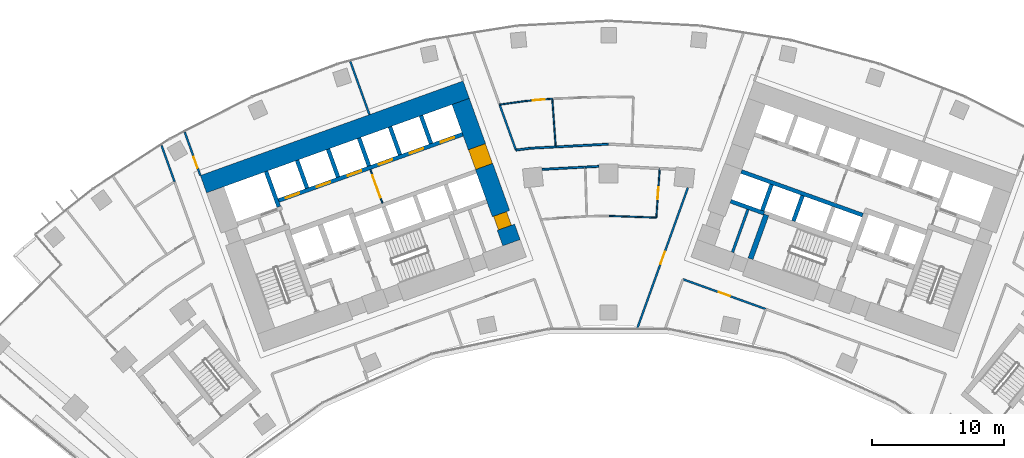
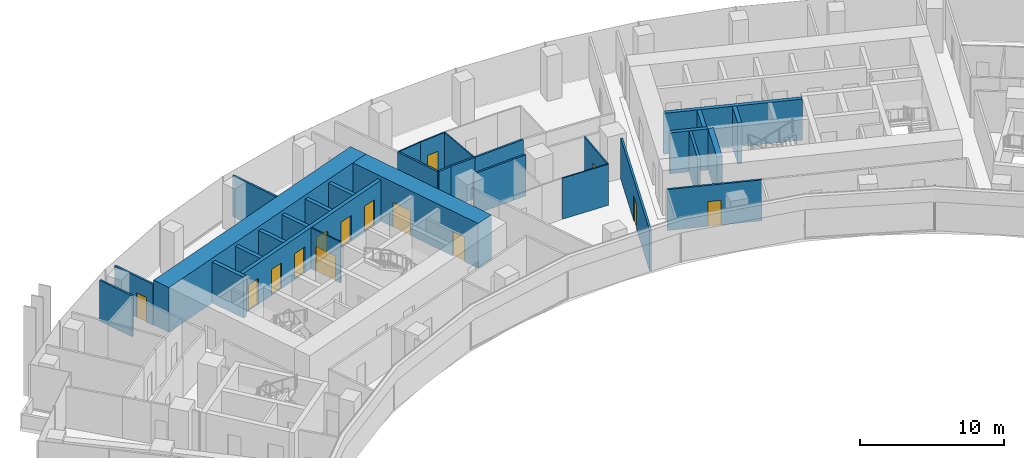
# One storey, part 15 of 21: 32 walls, 14 doors, 14 openings.
"""IFC4 building model written with IfcOpenShell, lengths in metres."""

from ifc_helpers import new_model, si_unit, direction, frame, frame_2d, origin, place, context, subcontext, project, spatial, rectangle, extrude, material, layer, layer_set, type_object, element, fill, save


model = new_model("IFC4")

# Units and contexts
model_context = context("Model", 3, precision=1e-05, world=origin(), true_north=direction((0.0, 1.0)))
body_context = subcontext(model_context, "Body", "Model", "MODEL_VIEW")
ifc_project = project(units=[si_unit("LENGTHUNIT", "METRE"), si_unit("AREAUNIT", "SQUARE_METRE"), si_unit("VOLUMEUNIT", "CUBIC_METRE"), si_unit("PLANEANGLEUNIT", "RADIAN"), si_unit("MASSUNIT", "GRAM", prefix="KILO")], contexts=[model_context])

# Site, building, storey
site_placement = place(None, origin())
site = spatial("IfcSite", under=ifc_project, at=site_placement, CompositionType="ELEMENT")
building_placement = place(site_placement, origin())
building = spatial("IfcBuilding", under=site, at=building_placement, Name="Stone Belt Terrace Tower", CompositionType="ELEMENT")
storey_placement = place(building_placement, frame((0.0, 0.0, 113.60009765625)))
storey = spatial("IfcBuildingStorey", under=building, at=storey_placement, Name="L27", CompositionType="ELEMENT", Elevation=113.60009765625)

# Wall, opening, door
ifc_material_1 = material(Name="Plasterboard partition")
ifc_layer_1 = layer(ifc_material_1, 0.10009765625)
ifc_layer_set_1 = layer_set([ifc_layer_1], Name="Core partition 100")
wall_type_1 = type_object("IfcWallType", Name="Core partition 100", PredefinedType="PARTITIONING", material=ifc_layer_set_1)
wall_1_placement = place(storey_placement, frame((-17.17724609375, 52.749755859375, 0.0), z_axis=(0.0, 0.0, 1.0), x_axis=(-0.338546555931, 0.940949642365, 0.0)))
wall_1 = element("IfcWall", 1, at=wall_1_placement, inside=storey, type_object=wall_type_1, Name="Core A wall", PredefinedType="PARTITIONING", context=body_context, shape_type="SweptSolid", body=[
    extrude(rectangle(XDim=2.699951171875, YDim=0.10009765625, at=frame_2d((1.35009765625, 0.0))), origin(), (0.0, 0.0, 1.0), 3.47998046875),
])
opening_1_placement = place(wall_1_placement, frame((0.449951171875, 0.0, 0.0)))
opening_1 = element("IfcOpeningElement", 2, at=opening_1_placement, cuts=wall_1, Name="Opening L27-C03", PredefinedType="OPENING", context=body_context, shape_type="SweptSolid", body=[
    extrude(rectangle(XDim=1.800048828125, YDim=2.10009765625, at=frame_2d((0.89990234375, 1.050048828125))), frame((0.0, 0.06005859375, 0.0), z_axis=(0.0, -1.0, 0.0), x_axis=(1.0, 0.0, 0.0)), (0.0, 0.0, 1.0), 0.1201171875),
])
ifc_material_2 = material(Name="Glazed aluminium door leaf", Category="aluminium")
door_type_1 = type_object("IfcDoorType", Name="Lift lobby entrance door 1800", OperationType="DOUBLE_DOOR_SINGLE_SWING", PredefinedType="DOOR", material=ifc_material_2)
door_1_placement = place(opening_1_placement, origin())
door_1 = element("IfcDoor", 3, at=door_1_placement, inside=storey, type_object=door_type_1, Name="Lift lobby double door core A", OperationType="DOUBLE_DOOR_SINGLE_SWING", OverallHeight=2.10009765625, OverallWidth=1.800048828125, PredefinedType="DOOR", context=body_context, shape_type="SweptSolid", body=[
    extrude(rectangle(XDim=1.800048828125, YDim=2.10009765625, at=frame_2d((0.89990234375, 1.050048828125))), frame((0.0, 0.02490234375, 0.0), z_axis=(0.0, -1.0, 0.0), x_axis=(1.0, 0.0, 0.0)), (0.0, 0.0, 1.0), 0.050048828125),
])
fill(opening_1, door_1)

# Wall
ifc_material_3 = material(Name="Concrete B80", Category="concrete")
ifc_layer_2 = layer(ifc_material_3, 1.39990234375)
ifc_layer_set_2 = layer_set([ifc_layer_2], Name="Core wall 1400 B80")
wall_type_2 = type_object("IfcWallType", Name="Core wall 1400 B80", PredefinedType="SHEAR", material=ifc_layer_set_2)
wall_2_placement = place(storey_placement, frame((-30.765380859375, 54.18310546875, 0.0), z_axis=(0.0, 0.0, 1.0), x_axis=(0.940919704758, 0.338629752382, 0.0)))
element("IfcWall", 4, at=wall_2_placement, inside=storey, type_object=wall_type_2, Name="Core A wall convex L27", PredefinedType="SHEAR", context=body_context, shape_type="SweptSolid", body=[
    extrude(rectangle(XDim=21.199951171875, YDim=1.39990234375, at=frame_2d((10.60009765625, 0.0))), origin(), (0.0, 0.0, 1.0), 3.7998046875),
])

# Wall, openings, doors
wall_3_placement = place(storey_placement, frame((-7.379150390625, 49.73974609375, 0.0), z_axis=(0.0, 0.0, 1.0), x_axis=(-0.338625431531, 0.940921259788, 0.0)))
wall_3 = element("IfcWall", 5, at=wall_3_placement, inside=storey, type_object=wall_type_2, Name="Core A wall end_b L27", PredefinedType="SHEAR", context=body_context, shape_type="SweptSolid", body=[
    extrude(rectangle(XDim=11.400146484375, YDim=1.39990234375, at=frame_2d((5.7001953125, 0.0))), origin(), (0.0, 0.0, 1.0), 3.7998046875),
])
opening_2_placement = place(wall_3_placement, frame((6.14990234375, 0.0, 0.0)))
opening_2 = element("IfcOpeningElement", 6, at=opening_2_placement, cuts=wall_3, Name="Opening L27-C04", PredefinedType="OPENING", context=body_context, shape_type="SweptSolid", body=[
    extrude(rectangle(XDim=1.60009765625, YDim=2.10009765625, at=frame_2d((0.800048828125, 1.050048828125))), frame((0.0, 0.7099609375, 0.0), z_axis=(0.0, -1.0, 0.0), x_axis=(1.0, 0.0, 0.0)), (0.0, 0.0, 1.0), 1.419921875),
])
opening_3_placement = place(wall_3_placement, frame((1.25, 0.0, 0.0)))
opening_3 = element("IfcOpeningElement", 7, at=opening_3_placement, cuts=wall_3, Name="Opening L27-C10", PredefinedType="OPENING", context=body_context, shape_type="SweptSolid", body=[
    extrude(rectangle(XDim=1.10009765625, YDim=2.10009765625, at=frame_2d((0.550048828125, 1.050048828125))), frame((0.0, 0.7099609375, 0.0), z_axis=(0.0, -1.0, 0.0), x_axis=(1.0, 0.0, 0.0)), (0.0, 0.0, 1.0), 1.419921875),
])
ifc_material_4 = material(Name="Timber door leaf", Category="wood")
door_type_2 = type_object("IfcDoorType", Name="Core room door 1100", OperationType="SINGLE_SWING_LEFT", PredefinedType="DOOR", material=ifc_material_4)
door_2_placement = place(opening_3_placement, origin())
door_2 = element("IfcDoor", 8, at=door_2_placement, inside=storey, type_object=door_type_2, Name="Door to Cleaner's store core A", OperationType="SINGLE_SWING_LEFT", OverallHeight=2.10009765625, OverallWidth=1.10009765625, PredefinedType="DOOR", context=body_context, shape_type="SweptSolid", body=[
    extrude(rectangle(XDim=1.10009765625, YDim=2.10009765625, at=frame_2d((0.550048828125, 1.050048828125))), frame((0.0, 0.60498046875, 0.0), z_axis=(0.0, -1.0, 0.0), x_axis=(1.0, 0.0, 0.0)), (0.0, 0.0, 1.0), 1.050048828125),
])
fill(opening_3, door_2)
door_type_3 = type_object("IfcDoorType", Name="Lift lobby entrance door 1600", OperationType="DOUBLE_DOOR_SINGLE_SWING", PredefinedType="DOOR", material=ifc_material_2)
door_3_placement = place(opening_2_placement, origin())
door_3 = element("IfcDoor", 9, at=door_3_placement, inside=storey, type_object=door_type_3, Name="Lift lobby entrance door core A", OperationType="DOUBLE_DOOR_SINGLE_SWING", OverallHeight=2.10009765625, OverallWidth=1.60009765625, PredefinedType="DOOR", context=body_context, shape_type="SweptSolid", body=[
    extrude(rectangle(XDim=1.60009765625, YDim=2.10009765625, at=frame_2d((0.800048828125, 1.050048828125))), frame((0.0, 0.68017578125, 0.0), z_axis=(0.0, -1.0, 0.0), x_axis=(1.0, 0.0, 0.0)), (0.0, 0.0, 1.0), 1.360107421875),
])
fill(opening_2, door_3)

# Wall
ifc_layer_3 = layer(ifc_material_3, 0.300048828125)
ifc_layer_set_3 = layer_set([ifc_layer_3], Name="Lift shaft wall 300")
wall_type_3 = type_object("IfcWallType", Name="Lift shaft wall 300", PredefinedType="SHEAR", material=ifc_layer_set_3)
wall_4_placement = place(storey_placement, frame((-25.046875, 52.46826171875, 0.0), z_axis=(0.0, 0.0, 1.0), x_axis=(-0.338549588058, 0.940948551423, 0.0)))
element("IfcWall", 10, at=wall_4_placement, inside=storey, type_object=wall_type_3, Name="Core A wall", PredefinedType="SHEAR", context=body_context, shape_type="SweptSolid", body=[
    extrude(rectangle(XDim=2.849853515625, YDim=0.300048828125, at=frame_2d((1.4248046875, 0.0))), origin(), (0.0, 0.0, 1.0), 3.47998046875),
])

# Wall, openings, doors
wall_5_placement = place(storey_placement, frame((-25.05810546875, 52.9423828125, 0.0), z_axis=(0.0, 0.0, 1.0), x_axis=(0.940918215764, 0.338633889685, 0.0)))
wall_5 = element("IfcWall", 11, at=wall_5_placement, inside=storey, type_object=wall_type_3, Name="Core A wall", PredefinedType="SHEAR", context=body_context, shape_type="SweptSolid", body=[
    extrude(rectangle(XDim=14.850341796875, YDim=0.300048828125, at=frame_2d((7.42529296875, 0.0))), origin(), (0.0, 0.0, 1.0), 3.47998046875),
])
opening_4_placement = place(wall_5_placement, frame((0.570068359375, 0.0, 0.0)))
opening_4 = element("IfcOpeningElement", 12, at=opening_4_placement, cuts=wall_5, Name="Opening L27-LD01", PredefinedType="OPENING", context=body_context, shape_type="SweptSolid", body=[
    extrude(rectangle(XDim=1.10009765625, YDim=2.199951171875, at=frame_2d((0.550048828125, 1.10009765625))), frame((0.0, 0.159912109375, 0.0), z_axis=(0.0, -1.0, 0.0), x_axis=(1.0, 0.0, 0.0)), (0.0, 0.0, 1.0), 0.320068359375),
])
opening_5_placement = place(wall_5_placement, frame((3.070068359375, 0.0, 0.0)))
opening_5 = element("IfcOpeningElement", 13, at=opening_5_placement, cuts=wall_5, Name="Opening L27-LD02", PredefinedType="OPENING", context=body_context, shape_type="SweptSolid", body=[
    extrude(rectangle(XDim=1.10009765625, YDim=2.199951171875, at=frame_2d((0.550048828125, 1.10009765625))), frame((0.0, 0.159912109375, 0.0), z_axis=(0.0, -1.0, 0.0), x_axis=(1.0, 0.0, 0.0)), (0.0, 0.0, 1.0), 0.320068359375),
])
opening_6_placement = place(wall_5_placement, frame((5.570068359375, 0.0, 0.0)))
opening_6 = element("IfcOpeningElement", 14, at=opening_6_placement, cuts=wall_5, Name="Opening L27-LD03", PredefinedType="OPENING", context=body_context, shape_type="SweptSolid", body=[
    extrude(rectangle(XDim=1.10009765625, YDim=2.199951171875, at=frame_2d((0.550048828125, 1.10009765625))), frame((0.0, 0.159912109375, 0.0), z_axis=(0.0, -1.0, 0.0), x_axis=(1.0, 0.0, 0.0)), (0.0, 0.0, 1.0), 0.320068359375),
])
opening_7_placement = place(wall_5_placement, frame((8.070068359375, 0.0, 0.0)))
opening_7 = element("IfcOpeningElement", 15, at=opening_7_placement, cuts=wall_5, Name="Opening L27-LD04", PredefinedType="OPENING", context=body_context, shape_type="SweptSolid", body=[
    extrude(rectangle(XDim=1.10009765625, YDim=2.199951171875, at=frame_2d((0.550048828125, 1.10009765625))), frame((0.0, 0.159912109375, 0.0), z_axis=(0.0, -1.0, 0.0), x_axis=(1.0, 0.0, 0.0)), (0.0, 0.0, 1.0), 0.320068359375),
])
opening_8_placement = place(wall_5_placement, frame((10.570068359375, 0.0, 0.0)))
opening_8 = element("IfcOpeningElement", 16, at=opening_8_placement, cuts=wall_5, Name="Opening L27-LD05", PredefinedType="OPENING", context=body_context, shape_type="SweptSolid", body=[
    extrude(rectangle(XDim=1.10009765625, YDim=2.199951171875, at=frame_2d((0.550048828125, 1.10009765625))), frame((0.0, 0.159912109375, 0.0), z_axis=(0.0, -1.0, 0.0), x_axis=(1.0, 0.0, 0.0)), (0.0, 0.0, 1.0), 0.320068359375),
])
opening_9_placement = place(wall_5_placement, frame((13.070068359375, 0.0, 0.0)))
opening_9 = element("IfcOpeningElement", 17, at=opening_9_placement, cuts=wall_5, Name="Opening L27-LD06", PredefinedType="OPENING", context=body_context, shape_type="SweptSolid", body=[
    extrude(rectangle(XDim=1.10009765625, YDim=2.199951171875, at=frame_2d((0.550048828125, 1.10009765625))), frame((0.0, 0.159912109375, 0.0), z_axis=(0.0, -1.0, 0.0), x_axis=(1.0, 0.0, 0.0)), (0.0, 0.0, 1.0), 0.320068359375),
])
ifc_material_5 = material(Name="Stainless steel door leaf", Category="steel")
door_type_4 = type_object("IfcDoorType", Name="Landing door 1100", OperationType="SLIDING_TO_LEFT", PredefinedType="DOOR", material=ifc_material_5)
door_4_placement = place(opening_4_placement, origin())
door_4 = element("IfcDoor", 18, at=door_4_placement, inside=storey, type_object=door_type_4, Name="Landing door LR1 core A", OperationType="SLIDING_TO_LEFT", OverallHeight=2.199951171875, OverallWidth=1.10009765625, PredefinedType="DOOR", context=body_context, shape_type="SweptSolid", body=[
    extrude(rectangle(XDim=1.10009765625, YDim=2.199951171875, at=frame_2d((0.550048828125, 1.10009765625))), frame((0.0, 0.02490234375, 0.0), z_axis=(0.0, -1.0, 0.0), x_axis=(1.0, 0.0, 0.0)), (0.0, 0.0, 1.0), 0.050048828125),
])
fill(opening_4, door_4)
door_5_placement = place(opening_5_placement, origin())
door_5 = element("IfcDoor", 19, at=door_5_placement, inside=storey, type_object=door_type_4, Name="Landing door LR2 core A", OperationType="SLIDING_TO_LEFT", OverallHeight=2.199951171875, OverallWidth=1.10009765625, PredefinedType="DOOR", context=body_context, shape_type="SweptSolid", body=[
    extrude(rectangle(XDim=1.10009765625, YDim=2.199951171875, at=frame_2d((0.550048828125, 1.10009765625))), frame((0.0, 0.02490234375, 0.0), z_axis=(0.0, -1.0, 0.0), x_axis=(1.0, 0.0, 0.0)), (0.0, 0.0, 1.0), 0.050048828125),
])
fill(opening_5, door_5)
door_6_placement = place(opening_6_placement, origin())
door_6 = element("IfcDoor", 20, at=door_6_placement, inside=storey, type_object=door_type_4, Name="Landing door LR3 core A", OperationType="SLIDING_TO_LEFT", OverallHeight=2.199951171875, OverallWidth=1.10009765625, PredefinedType="DOOR", context=body_context, shape_type="SweptSolid", body=[
    extrude(rectangle(XDim=1.10009765625, YDim=2.199951171875, at=frame_2d((0.550048828125, 1.10009765625))), frame((0.0, 0.02490234375, 0.0), z_axis=(0.0, -1.0, 0.0), x_axis=(1.0, 0.0, 0.0)), (0.0, 0.0, 1.0), 0.050048828125),
])
fill(opening_6, door_6)
door_7_placement = place(opening_7_placement, origin())
door_7 = element("IfcDoor", 21, at=door_7_placement, inside=storey, type_object=door_type_4, Name="Landing door LR4 core A", OperationType="SLIDING_TO_LEFT", OverallHeight=2.199951171875, OverallWidth=1.10009765625, PredefinedType="DOOR", context=body_context, shape_type="SweptSolid", body=[
    extrude(rectangle(XDim=1.10009765625, YDim=2.199951171875, at=frame_2d((0.550048828125, 1.10009765625))), frame((0.0, 0.02490234375, 0.0), z_axis=(0.0, -1.0, 0.0), x_axis=(1.0, 0.0, 0.0)), (0.0, 0.0, 1.0), 0.050048828125),
])
fill(opening_7, door_7)
door_8_placement = place(opening_8_placement, origin())
door_8 = element("IfcDoor", 22, at=door_8_placement, inside=storey, type_object=door_type_4, Name="Landing door LR5 core A", OperationType="SLIDING_TO_LEFT", OverallHeight=2.199951171875, OverallWidth=1.10009765625, PredefinedType="DOOR", context=body_context, shape_type="SweptSolid", body=[
    extrude(rectangle(XDim=1.10009765625, YDim=2.199951171875, at=frame_2d((0.550048828125, 1.10009765625))), frame((0.0, 0.02490234375, 0.0), z_axis=(0.0, -1.0, 0.0), x_axis=(1.0, 0.0, 0.0)), (0.0, 0.0, 1.0), 0.050048828125),
])
fill(opening_8, door_8)
door_9_placement = place(opening_9_placement, origin())
door_9 = element("IfcDoor", 23, at=door_9_placement, inside=storey, type_object=door_type_4, Name="Landing door LR6 core A", OperationType="SLIDING_TO_LEFT", OverallHeight=2.199951171875, OverallWidth=1.10009765625, PredefinedType="DOOR", context=body_context, shape_type="SweptSolid", body=[
    extrude(rectangle(XDim=1.10009765625, YDim=2.199951171875, at=frame_2d((0.550048828125, 1.10009765625))), frame((0.0, 0.02490234375, 0.0), z_axis=(0.0, -1.0, 0.0), x_axis=(1.0, 0.0, 0.0)), (0.0, 0.0, 1.0), 0.050048828125),
])
fill(opening_9, door_9)

# Walls
wall_6_placement = place(storey_placement, frame((-22.897705078125, 53.87939453125, 0.0), z_axis=(0.0, 0.0, 1.0), x_axis=(-0.338535034312, 0.940953787677, 0.0)))
element("IfcWall", 24, at=wall_6_placement, inside=storey, type_object=wall_type_3, Name="Core A wall", PredefinedType="SHEAR", context=body_context, shape_type="SweptSolid", body=[
    extrude(rectangle(XDim=2.25, YDim=0.300048828125, at=frame_2d((1.125, 0.0))), origin(), (0.0, 0.0, 1.0), 3.47998046875),
])
wall_7_placement = place(storey_placement, frame((-20.54541015625, 54.72607421875, 0.0), z_axis=(0.0, 0.0, 1.0), x_axis=(-0.338569601369, 0.940941350472, 0.0)))
element("IfcWall", 25, at=wall_7_placement, inside=storey, type_object=wall_type_3, Name="Core A wall", PredefinedType="SHEAR", context=body_context, shape_type="SweptSolid", body=[
    extrude(rectangle(XDim=2.249755859375, YDim=0.300048828125, at=frame_2d((1.125, 0.0))), origin(), (0.0, 0.0, 1.0), 3.47998046875),
])
wall_8_placement = place(storey_placement, frame((-18.193115234375, 55.572509765625, 0.0), z_axis=(0.0, 0.0, 1.0), x_axis=(-0.338535034312, 0.940953787677, 0.0)))
element("IfcWall", 26, at=wall_8_placement, inside=storey, type_object=wall_type_3, Name="Core A wall", PredefinedType="SHEAR", context=body_context, shape_type="SweptSolid", body=[
    extrude(rectangle(XDim=2.25, YDim=0.300048828125, at=frame_2d((1.125, 0.0))), origin(), (0.0, 0.0, 1.0), 3.47998046875),
])
wall_9_placement = place(storey_placement, frame((-15.8408203125, 56.419189453125, 0.0), z_axis=(0.0, 0.0, 1.0), x_axis=(-0.338569601369, 0.940941350472, 0.0)))
element("IfcWall", 27, at=wall_9_placement, inside=storey, type_object=wall_type_3, Name="Core A wall", PredefinedType="SHEAR", context=body_context, shape_type="SweptSolid", body=[
    extrude(rectangle(XDim=2.249755859375, YDim=0.300048828125, at=frame_2d((1.125, 0.0))), origin(), (0.0, 0.0, 1.0), 3.47998046875),
])
wall_10_placement = place(storey_placement, frame((-13.48828125, 57.265625, 0.0), z_axis=(0.0, 0.0, 1.0), x_axis=(-0.338631098537, 0.940919220286, 0.0)))
element("IfcWall", 28, at=wall_10_placement, inside=storey, type_object=wall_type_3, Name="Core A wall", PredefinedType="SHEAR", context=body_context, shape_type="SweptSolid", body=[
    extrude(rectangle(XDim=2.250244140625, YDim=0.300048828125, at=frame_2d((1.125, 0.0))), origin(), (0.0, 0.0, 1.0), 3.47998046875),
])
wall_11_placement = place(storey_placement, frame((19.29052734375, 51.829833984375, 0.0), z_axis=(0.0, 0.0, 1.0), x_axis=(-0.940925833398, 0.338612722803, 0.0)))
element("IfcWall", 29, at=wall_11_placement, inside=storey, type_object=wall_type_3, Name="Core B wall", PredefinedType="SHEAR", context=body_context, shape_type="SweptSolid", body=[
    extrude(rectangle(XDim=9.7998046875, YDim=0.300048828125, at=frame_2d((4.89990234375, 0.0))), origin(), (0.0, 0.0, 1.0), 3.47998046875),
])
wall_12_placement = place(storey_placement, frame((14.029052734375, 51.38525390625, 0.0), z_axis=(0.0, 0.0, 1.0), x_axis=(0.338681515556, 0.940901073982, 0.0)))
element("IfcWall", 30, at=wall_12_placement, inside=storey, type_object=wall_type_3, Name="Core B wall", PredefinedType="SHEAR", context=body_context, shape_type="SweptSolid", body=[
    extrude(rectangle(XDim=2.050048828125, YDim=0.300048828125, at=frame_2d((1.02490234375, 0.0))), origin(), (0.0, 0.0, 1.0), 3.47998046875),
])
wall_13_placement = place(storey_placement, frame((11.797119140625, 51.975830078125, 0.0), z_axis=(0.0, 0.0, 1.0), x_axis=(-0.940910465161, 0.33865542451, 0.0)))
element("IfcWall", 31, at=wall_13_placement, inside=storey, type_object=wall_type_3, Name="Core B wall", PredefinedType="SHEAR", context=body_context, shape_type="SweptSolid", body=[
    extrude(rectangle(XDim=2.69970703125, YDim=0.300048828125, at=frame_2d((1.349853515625, 0.0))), origin(), (0.0, 0.0, 1.0), 3.47998046875),
])
wall_14_placement = place(storey_placement, frame((11.659912109375, 52.184814453125, 0.0), z_axis=(0.0, 0.0, 1.0), x_axis=(0.338670064856, 0.940905195634, 0.0)))
element("IfcWall", 32, at=wall_14_placement, inside=storey, type_object=wall_type_3, Name="Core B wall", PredefinedType="SHEAR", context=body_context, shape_type="SweptSolid", body=[
    extrude(rectangle(XDim=2.099853515625, YDim=0.300048828125, at=frame_2d((1.0498046875, 0.0))), origin(), (0.0, 0.0, 1.0), 3.47998046875),
])
ifc_material_6 = material(Name="Gypsum board partition")
ifc_layer_4 = layer(ifc_material_6, 0.10009765625)
ifc_layer_set_4 = layer_set([ifc_layer_4], Name="PARTITION 100")
wall_type_4 = type_object("IfcWallType", Name="PARTITION 100", PredefinedType="PARTITIONING", material=ifc_layer_set_4)
wall_15_placement = place(storey_placement, frame((0.0, 51.77490234375, 0.0), z_axis=(0.0, 0.0, 1.0), x_axis=(0.999384578981, -0.035077960248, 0.0)))
element("IfcWall", 33, at=wall_15_placement, inside=storey, type_object=wall_type_4, Name="L27/wall/i097", PredefinedType="PARTITIONING", context=body_context, shape_type="SweptSolid", body=[
    extrude(rectangle(XDim=3.619140625, YDim=0.10009765625, at=frame_2d((1.8095703125, 0.0))), origin(), (0.0, 0.0, 1.0), 3.47998046875),
])

# Wall, opening, door
wall_16_placement = place(storey_placement, frame((3.616943359375, 51.64794921875, 0.0), z_axis=(0.0, 0.0, 1.0), x_axis=(0.069908521792, 0.99755340638, 0.0)))
wall_16 = element("IfcWall", 34, at=wall_16_placement, inside=storey, type_object=wall_type_4, Name="L27/wall/i098", PredefinedType="PARTITIONING", context=body_context, shape_type="SweptSolid", body=[
    extrude(rectangle(XDim=3.733154296875, YDim=0.10009765625, at=frame_2d((1.86669921875, 0.0))), origin(), (0.0, 0.0, 1.0), 3.47998046875),
])
opening_10_placement = place(wall_16_placement, frame((1.41650390625, 0.0, 0.0)))
opening_10 = element("IfcOpeningElement", 35, at=opening_10_placement, cuts=wall_16, Name="Opening D-B4-30", PredefinedType="OPENING", context=body_context, shape_type="SweptSolid", body=[
    extrude(rectangle(XDim=0.89990234375, YDim=2.10009765625, at=frame_2d((0.449951171875, 1.050048828125))), frame((0.0, 0.06005859375, 0.0), z_axis=(0.0, -1.0, 0.0), x_axis=(1.0, 0.0, 0.0)), (0.0, 0.0, 1.0), 0.1201171875),
])
door_type_5 = type_object("IfcDoorType", Name="OFFICE DOOR 900 X 2100", OperationType="NOTDEFINED", PredefinedType="DOOR", material=ifc_material_4)
door_10_placement = place(opening_10_placement, origin())
door_10 = element("IfcDoor", 36, at=door_10_placement, inside=storey, type_object=door_type_5, Name="L27/door/i30", OperationType="SINGLE_SWING_RIGHT", OverallHeight=2.10009765625, OverallWidth=0.89990234375, PredefinedType="DOOR", context=body_context, shape_type="SweptSolid", body=[
    extrude(rectangle(XDim=0.89990234375, YDim=2.10009765625, at=frame_2d((0.449951171875, 1.050048828125))), frame((0.0, 0.02490234375, 0.0), z_axis=(0.0, -1.0, 0.0), x_axis=(1.0, 0.0, 0.0)), (0.0, 0.0, 1.0), 0.050048828125),
])
fill(opening_10, door_10)

wall_17_placement = place(storey_placement, frame((-4.281005859375, 60.674072265625, 0.0), z_axis=(0.0, 0.0, 1.0), x_axis=(-0.996177048446, -0.087357244404, 0.0)))
wall_17 = element("IfcWall", 37, at=wall_17_placement, inside=storey, type_object=wall_type_4, Name="L27/wall/i100", PredefinedType="PARTITIONING", context=body_context, shape_type="SweptSolid", body=[
    extrude(rectangle(XDim=2.0849609375, YDim=0.10009765625, at=frame_2d((1.04248046875, 0.0))), origin(), (0.0, 0.0, 1.0), 3.47998046875),
])
opening_11_placement = place(wall_17_placement, frame((0.592529296875, 0.0, 0.0)))
opening_11 = element("IfcOpeningElement", 38, at=opening_11_placement, cuts=wall_17, Name="Opening D-B4-32", PredefinedType="OPENING", context=body_context, shape_type="SweptSolid", body=[
    extrude(rectangle(XDim=0.89990234375, YDim=2.10009765625, at=frame_2d((0.449951171875, 1.050048828125))), frame((0.0, 0.06005859375, 0.0), z_axis=(0.0, -1.0, 0.0), x_axis=(1.0, 0.0, 0.0)), (0.0, 0.0, 1.0), 0.1201171875),
])
door_11_placement = place(opening_11_placement, origin())
door_11 = element("IfcDoor", 39, at=door_11_placement, inside=storey, type_object=door_type_5, Name="L27/door/i32", OperationType="SINGLE_SWING_RIGHT", OverallHeight=2.10009765625, OverallWidth=0.89990234375, PredefinedType="DOOR", context=body_context, shape_type="SweptSolid", body=[
    extrude(rectangle(XDim=0.89990234375, YDim=2.10009765625, at=frame_2d((0.449951171875, 1.050048828125))), frame((0.0, 0.02490234375, 0.0), z_axis=(0.0, -1.0, 0.0), x_axis=(1.0, 0.0, 0.0)), (0.0, 0.0, 1.0), 0.050048828125),
])
fill(opening_11, door_11)

# Walls
wall_18_placement = place(storey_placement, frame((-6.35791015625, 60.491943359375, 0.0), z_axis=(0.0, 0.0, 1.0), x_axis=(-0.990460391638, -0.137797723478, 0.0)))
element("IfcWall", 40, at=wall_18_placement, inside=storey, type_object=wall_type_4, Name="L27/wall/i101", PredefinedType="PARTITIONING", context=body_context, shape_type="SweptSolid", body=[
    extrude(rectangle(XDim=1.943603515625, YDim=0.10009765625, at=frame_2d((0.9716796875, 0.0))), origin(), (0.0, 0.0, 1.0), 3.47998046875),
])
wall_19_placement = place(storey_placement, frame((-4.281005859375, 60.674072265625, 0.0), z_axis=(0.0, 0.0, 1.0), x_axis=(0.070613257155, -0.997503768371, 0.0)))
element("IfcWall", 41, at=wall_19_placement, inside=storey, type_object=wall_type_4, Name="L27/wall/i105", PredefinedType="PARTITIONING", context=body_context, shape_type="SweptSolid", body=[
    extrude(rectangle(XDim=3.66845703125, YDim=0.10009765625, at=frame_2d((1.834228515625, 0.0))), origin(), (0.0, 0.0, 1.0), 3.47998046875),
])

# Wall, opening, door
ifc_layer_5 = layer(ifc_material_6, 0.14990234375)
ifc_layer_set_5 = layer_set([ifc_layer_5], Name="PARTITION 150 EI 60")
wall_type_5 = type_object("IfcWallType", Name="PARTITION 150 EI 60", PredefinedType="PARTITIONING", material=ifc_layer_set_5)
wall_20_placement = place(storey_placement, frame((-32.185791015625, 58.131103515625, 0.0), z_axis=(0.0, 0.0, 1.0), x_axis=(0.338662585219, -0.940907887826, 0.0)))
wall_20 = element("IfcWall", 42, at=wall_20_placement, inside=storey, type_object=wall_type_5, Name="L27/wall/i002", PredefinedType="PARTITIONING", context=body_context, shape_type="SweptSolid", body=[
    extrude(rectangle(XDim=3.49560546875, YDim=0.14990234375, at=frame_2d((1.747802734375, 0.0))), origin(), (0.0, 0.0, 1.0), 3.47998046875),
])
opening_12_placement = place(wall_20_placement, frame((1.996337890625, 0.0, 0.0)))
opening_12 = element("IfcOpeningElement", 43, at=opening_12_placement, cuts=wall_20, Name="Opening D-B4-04", PredefinedType="OPENING", context=body_context, shape_type="SweptSolid", body=[
    extrude(rectangle(XDim=0.89990234375, YDim=2.10009765625, at=frame_2d((0.449951171875, 1.050048828125))), frame((0.0, 0.0849609375, 0.0), z_axis=(0.0, -1.0, 0.0), x_axis=(1.0, 0.0, 0.0)), (0.0, 0.0, 1.0), 0.169921875),
])
door_12_placement = place(opening_12_placement, origin())
door_12 = element("IfcDoor", 44, at=door_12_placement, inside=storey, type_object=door_type_5, Name="L27/door/i04", OperationType="SINGLE_SWING_RIGHT", OverallHeight=2.10009765625, OverallWidth=0.89990234375, PredefinedType="DOOR", context=body_context, shape_type="SweptSolid", body=[
    extrude(rectangle(XDim=0.89990234375, YDim=2.10009765625, at=frame_2d((0.449951171875, 1.050048828125))), frame((0.0, 0.02490234375, 0.0), z_axis=(0.0, -1.0, 0.0), x_axis=(1.0, 0.0, 0.0)), (0.0, 0.0, 1.0), 0.050048828125),
])
fill(opening_12, door_12)

# Walls
wall_21_placement = place(storey_placement, frame((-32.95703125, 54.365966796875, 0.0), z_axis=(0.0, 0.0, 1.0), x_axis=(-0.338545891474, 0.940949881432, 0.0)))
element("IfcWall", 45, at=wall_21_placement, inside=storey, type_object=wall_type_5, Name="L27/wall/i007", PredefinedType="PARTITIONING", context=body_context, shape_type="SweptSolid", body=[
    extrude(rectangle(XDim=2.938720703125, YDim=0.14990234375, at=frame_2d((1.46923828125, 0.0))), origin(), (0.0, 0.0, 1.0), 3.47998046875),
])
wall_22_placement = place(storey_placement, frame((-8.284912109375, 60.22998046875, 0.0), z_axis=(0.0, 0.0, 1.0), x_axis=(0.338529182342, -0.94095589307, 0.0)))
element("IfcWall", 46, at=wall_22_placement, inside=storey, type_object=wall_type_5, Name="L27/wall/i013", PredefinedType="PARTITIONING", context=body_context, shape_type="SweptSolid", body=[
    extrude(rectangle(XDim=3.68017578125, YDim=0.14990234375, at=frame_2d((1.840087890625, 0.0))), origin(), (0.0, 0.0, 1.0), 3.47998046875),
])
wall_23_placement = place(storey_placement, frame((-19.614990234375, 63.4951171875, 0.0), z_axis=(0.0, 0.0, 1.0), x_axis=(0.338782001983, -0.940864897386, 0.0)))
element("IfcWall", 47, at=wall_23_placement, inside=storey, type_object=wall_type_5, Name="L27/wall/i020", PredefinedType="PARTITIONING", context=body_context, shape_type="SweptSolid", body=[
    extrude(rectangle(XDim=4.28564453125, YDim=0.14990234375, at=frame_2d((2.142822265625, 0.0))), origin(), (0.0, 0.0, 1.0), 3.47998046875),
])

# Wall, opening, door
wall_24_placement = place(storey_placement, frame((2.1787109375, 43.26171875, 0.0), z_axis=(0.0, 0.0, 1.0), x_axis=(0.338656837626, 0.940909956547, 0.0)))
wall_24 = element("IfcWall", 48, at=wall_24_placement, inside=storey, type_object=wall_type_5, Name="L27/wall/i023", PredefinedType="PARTITIONING", context=body_context, shape_type="SweptSolid", body=[
    extrude(rectangle(XDim=11.319091796875, YDim=0.14990234375, at=frame_2d((5.65966796875, 0.0))), origin(), (0.0, 0.0, 1.0), 3.47998046875),
])
opening_13_placement = place(wall_24_placement, frame((5.159423828125, 0.0, 0.0)))
opening_13 = element("IfcOpeningElement", 49, at=opening_13_placement, cuts=wall_24, Name="Opening D-B4-28", PredefinedType="OPENING", context=body_context, shape_type="SweptSolid", body=[
    extrude(rectangle(XDim=1.0, YDim=2.10009765625, at=frame_2d((0.5, 1.050048828125))), frame((0.0, 0.0849609375, 0.0), z_axis=(0.0, -1.0, 0.0), x_axis=(1.0, 0.0, 0.0)), (0.0, 0.0, 1.0), 0.169921875),
])
ifc_material_7 = material(Name="Timber fire door leaf", Category="wood")
door_type_6 = type_object("IfcDoorType", Name="TENANCY ENTRANCE DOOR 1000 X 2100", OperationType="NOTDEFINED", PredefinedType="DOOR", material=ifc_material_7)
door_13_placement = place(opening_13_placement, origin())
door_13 = element("IfcDoor", 50, at=door_13_placement, inside=storey, type_object=door_type_6, Name="L27/door/i28", OperationType="SINGLE_SWING_LEFT", OverallHeight=2.10009765625, OverallWidth=1.0, PredefinedType="DOOR", context=body_context, shape_type="SweptSolid", body=[
    extrude(rectangle(XDim=1.0, YDim=2.10009765625, at=frame_2d((0.5, 1.050048828125))), frame((0.0, 0.02490234375, 0.0), z_axis=(0.0, -1.0, 0.0), x_axis=(1.0, 0.0, 0.0)), (0.0, 0.0, 1.0), 0.050048828125),
])
fill(opening_13, door_13)

wall_25_placement = place(storey_placement, frame((11.93408203125, 44.699951171875, 0.0), z_axis=(0.0, 0.0, 1.0), x_axis=(-0.94092786382, 0.33860708068, 0.0)))
wall_25 = element("IfcWall", 51, at=wall_25_placement, inside=storey, type_object=wall_type_5, Name="L27/wall/i031", PredefinedType="PARTITIONING", context=body_context, shape_type="SweptSolid", body=[
    extrude(rectangle(XDim=6.6923828125, YDim=0.14990234375, at=frame_2d((3.34619140625, 0.0))), origin(), (0.0, 0.0, 1.0), 3.47998046875),
])
opening_14_placement = place(wall_25_placement, frame((2.896240234375, 0.0, 0.0)))
opening_14 = element("IfcOpeningElement", 52, at=opening_14_placement, cuts=wall_25, Name="Opening D-B4-06", PredefinedType="OPENING", context=body_context, shape_type="SweptSolid", body=[
    extrude(rectangle(XDim=0.89990234375, YDim=2.10009765625, at=frame_2d((0.449951171875, 1.050048828125))), frame((0.0, 0.0849609375, 0.0), z_axis=(0.0, -1.0, 0.0), x_axis=(1.0, 0.0, 0.0)), (0.0, 0.0, 1.0), 0.169921875),
])
door_14_placement = place(opening_14_placement, origin())
door_14 = element("IfcDoor", 53, at=door_14_placement, inside=storey, type_object=door_type_5, Name="L27/door/i06", OperationType="SINGLE_SWING_RIGHT", OverallHeight=2.10009765625, OverallWidth=0.89990234375, PredefinedType="DOOR", context=body_context, shape_type="SweptSolid", body=[
    extrude(rectangle(XDim=0.89990234375, YDim=2.10009765625, at=frame_2d((0.449951171875, 1.050048828125))), frame((0.0, 0.02490234375, 0.0), z_axis=(0.0, -1.0, 0.0), x_axis=(1.0, 0.0, 0.0)), (0.0, 0.0, 1.0), 0.050048828125),
])
fill(opening_14, door_14)

# Walls
wall_26_placement = place(storey_placement, frame((-1.777099609375, 55.48193359375, 0.0), z_axis=(0.0, 0.0, 1.0), x_axis=(-0.998635243158, -0.052226919519, 0.0)))
element("IfcWall", 54, at=wall_26_placement, inside=storey, type_object=wall_type_5, Name="L27/wall/i086", PredefinedType="PARTITIONING", context=body_context, shape_type="SweptSolid", body=[
    extrude(rectangle(XDim=3.281494140625, YDim=0.14990234375, at=frame_2d((1.640625, 0.0))), origin(), (0.0, 0.0, 1.0), 3.47998046875),
])
wall_27_placement = place(storey_placement, frame((-0.7548828125, 55.535400390625, 0.0), z_axis=(0.0, 0.0, 1.0), x_axis=(-0.998617178026, -0.052571206492, 0.0)))
element("IfcWall", 55, at=wall_27_placement, inside=storey, type_object=wall_type_5, Name="L27/wall/i088", PredefinedType="PARTITIONING", context=body_context, shape_type="SweptSolid", body=[
    extrude(rectangle(XDim=1.03564453125, YDim=0.14990234375, at=frame_2d((0.517822265625, 0.0))), origin(), (0.0, 0.0, 1.0), 3.47998046875),
])
wall_28_placement = place(storey_placement, frame((-7.041015625, 56.77294921875, 0.0), z_axis=(0.0, 0.0, 1.0), x_axis=(0.991477617634, 0.130277142013, 0.0)))
element("IfcWall", 56, at=wall_28_placement, inside=storey, type_object=wall_type_5, Name="L27/wall/i091", PredefinedType="PARTITIONING", context=body_context, shape_type="SweptSolid", body=[
    extrude(rectangle(XDim=1.068115234375, YDim=0.14990234375, at=frame_2d((0.5341796875, 0.0))), origin(), (0.0, 0.0, 1.0), 3.47998046875),
])
wall_29_placement = place(storey_placement, frame((-5.98193359375, 56.912109375, 0.0), z_axis=(0.0, 0.0, 1.0), x_axis=(0.998635927849, 0.052213825835, 0.0)))
element("IfcWall", 57, at=wall_29_placement, inside=storey, type_object=wall_type_5, Name="L27/wall/i092", PredefinedType="PARTITIONING", context=body_context, shape_type="SweptSolid", body=[
    extrude(rectangle(XDim=1.968505859375, YDim=0.14990234375, at=frame_2d((0.984375, 0.0))), origin(), (0.0, 0.0, 1.0), 3.47998046875),
])
wall_30_placement = place(storey_placement, frame((-4.028076171875, 57.013916015625, 0.0), z_axis=(0.0, 0.0, 1.0), x_axis=(0.998628509472, 0.052355516134, 0.0)))
element("IfcWall", 58, at=wall_30_placement, inside=storey, type_object=wall_type_5, Name="L27/wall/i093", PredefinedType="PARTITIONING", context=body_context, shape_type="SweptSolid", body=[
    extrude(rectangle(XDim=4.03369140625, YDim=0.14990234375, at=frame_2d((2.016845703125, 0.0))), origin(), (0.0, 0.0, 1.0), 3.47998046875),
])
ifc_material_8 = material(Name="Concrete masonry block", Category="masonry")
ifc_layer_6 = layer(ifc_material_8, 0.199951171875)
ifc_layer_set_6 = layer_set([ifc_layer_6], Name="Rated lobby wall 200")
wall_type_6 = type_object("IfcWallType", Name="Rated lobby wall 200", PredefinedType="PARTITIONING", material=ifc_layer_set_6)
wall_31_placement = place(storey_placement, frame((9.402099609375, 49.01171875, 0.0), z_axis=(0.0, 0.0, 1.0), x_axis=(0.338599189079, 0.940930703695, 0.0)))
element("IfcWall", 59, at=wall_31_placement, inside=storey, type_object=wall_type_6, Name="Core B wall", PredefinedType="PARTITIONING", context=body_context, shape_type="SweptSolid", body=[
    extrude(rectangle(XDim=3.4501953125, YDim=0.199951171875, at=frame_2d((1.72509765625, 0.0))), origin(), (0.0, 0.0, 1.0), 3.47998046875),
])
ifc_layer_7 = layer(ifc_material_3, 0.39990234375)
ifc_layer_set_7 = layer_set([ifc_layer_7], Name="Stair enclosure wall 400")
wall_type_7 = type_object("IfcWallType", Name="Stair enclosure wall 400", PredefinedType="SHEAR", material=ifc_layer_set_7)
wall_32_placement = place(storey_placement, frame((10.766357421875, 48.520751953125, 0.0), z_axis=(0.0, 0.0, 1.0), x_axis=(0.338626928157, 0.94092072117, 0.0)))
element("IfcWall", 60, at=wall_32_placement, inside=storey, type_object=wall_type_7, Name="Core B wall", PredefinedType="SHEAR", context=body_context, shape_type="SweptSolid", body=[
    extrude(rectangle(XDim=3.550048828125, YDim=0.39990234375, at=frame_2d((1.77490234375, 0.0))), origin(), (0.0, 0.0, 1.0), 3.47998046875),
])

save(model, "model.ifc")
